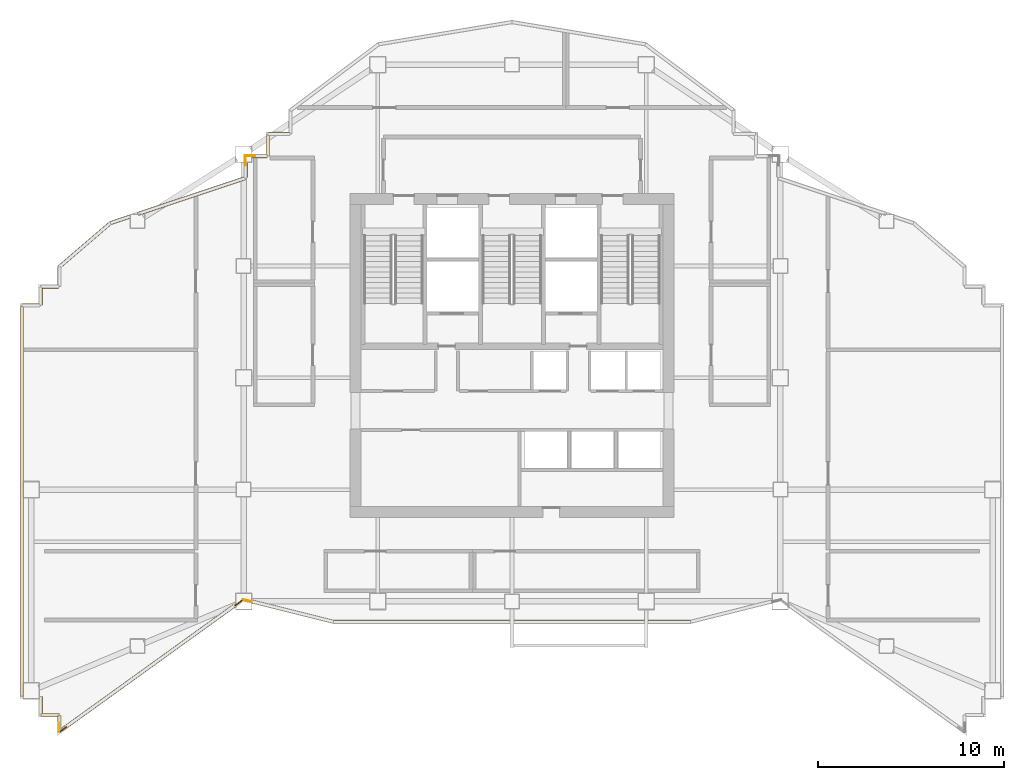
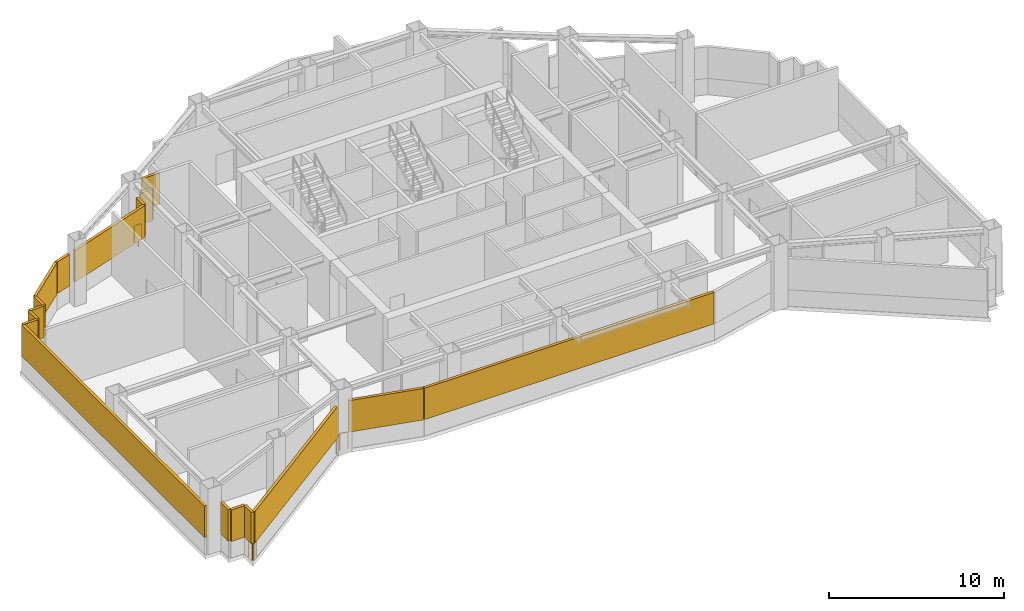
# One storey, part 6 of 9: 18 shading devices, 6 railings.
"""IFC4 building model written with IfcOpenShell, lengths in metres."""

from ifc_helpers import new_model, si_unit, direction, frame, origin, origin_2d, place, context, subcontext, project, spatial, rectangle, circle, extrude, material, type_object, element, save


model = new_model("IFC4")

# Units and contexts
model_context = context("Model", 3, precision=1e-05, world=origin(), true_north=direction((0.0, 1.0)))
body_context = subcontext(model_context, "Body", "Model", "MODEL_VIEW")
ifc_project = project(units=[si_unit("LENGTHUNIT", "METRE"), si_unit("AREAUNIT", "SQUARE_METRE"), si_unit("VOLUMEUNIT", "CUBIC_METRE"), si_unit("PLANEANGLEUNIT", "RADIAN"), si_unit("MASSUNIT", "GRAM", prefix="KILO")], contexts=[model_context])

# Site, building, storey
site_placement = place(None, origin())
site = spatial("IfcSite", under=ifc_project, at=site_placement, CompositionType="ELEMENT")
building_placement = place(site_placement, origin())
building = spatial("IfcBuilding", under=site, at=building_placement, Name="Haolan Belvedere Tower", CompositionType="ELEMENT")
storey_placement = place(building_placement, frame((0.0, 0.0, 207.0)))
storey = spatial("IfcBuildingStorey", under=building, at=storey_placement, Name="L52", CompositionType="ELEMENT", Elevation=207.0)

# Railings
ifc_material_1 = material(Name="Galvanised powder-coated steel guardrail", Category="steel")
railing_type = type_object("IfcRailingType", Name="RL-REF-GRD-1150", PredefinedType="GUARDRAIL", material=ifc_material_1)
railing_1_placement = place(storey_placement, frame((24.42578125, 21.586181640625, 0.0)))
element("IfcRailing", 1, at=railing_1_placement, inside=storey, type_object=railing_type, Name="L52 refuge corner safety guardrail 1A", PredefinedType="GUARDRAIL", context=body_context, shape_type="SweptSolid", body=[
    extrude(circle(Radius=0.02392578125, at=origin_2d()), frame((0.0, 0.0, 1.1259765625), z_axis=(-0.974532291101, 0.224247215372, 0.0), x_axis=(-0.224247215372, -0.974532291101, 0.0)), (0.0, 0.0, 1.0), 0.466064453125),
    extrude(circle(Radius=0.02099609375, at=origin_2d()), origin(), (0.0, 0.0, 1.0), 1.101806640625),
    extrude(circle(Radius=0.02099609375, at=origin_2d()), frame((-0.4541015625, 0.1044921875, 0.0)), (0.0, 0.0, 1.0), 1.101806640625),
])
railing_2_placement = place(storey_placement, frame((23.923095703125, 21.655517578125, 0.0)))
element("IfcRailing", 2, at=railing_2_placement, inside=storey, type_object=railing_type, Name="L52 refuge corner safety guardrail 1B", PredefinedType="GUARDRAIL", context=body_context, shape_type="SweptSolid", body=[
    extrude(circle(Radius=0.02392578125, at=origin_2d()), frame((0.0, 0.0, 1.1259765625), z_axis=(-0.811622975054, -0.584181603925, 0.0), x_axis=(0.584181603925, -0.811622975054, 0.0)), (0.0, 0.0, 1.0), 0.47021484375),
    extrude(circle(Radius=0.02099609375, at=origin_2d()), origin(), (0.0, 0.0, 1.0), 1.101806640625),
    extrude(circle(Radius=0.02099609375, at=origin_2d()), frame((-0.381591796875, -0.274658203125, 0.0)), (0.0, 0.0, 1.0), 1.101806640625),
])
railing_3_placement = place(storey_placement, frame((24.090087890625, 45.010009765625, 0.0)))
element("IfcRailing", 3, at=railing_3_placement, inside=storey, type_object=railing_type, Name="L52 refuge corner safety guardrail 5A", PredefinedType="GUARDRAIL", context=body_context, shape_type="SweptSolid", body=[
    extrude(circle(Radius=0.02392578125, at=origin_2d()), frame((0.0, 0.0, 1.1259765625), z_axis=(0.0, 1.0, 0.0), x_axis=(-1.0, 0.0, 0.0)), (0.0, 0.0, 1.0), 0.469970703125),
    extrude(circle(Radius=0.02099609375, at=origin_2d()), origin(), (0.0, 0.0, 1.0), 1.101806640625),
    extrude(circle(Radius=0.02099609375, at=origin_2d()), frame((0.0, 0.469970703125, 0.0)), (0.0, 0.0, 1.0), 1.101806640625),
])
railing_4_placement = place(storey_placement, frame((24.1201171875, 45.510009765625, 0.0)))
element("IfcRailing", 4, at=railing_4_placement, inside=storey, type_object=railing_type, Name="L52 refuge corner safety guardrail 5B", PredefinedType="GUARDRAIL", context=body_context, shape_type="SweptSolid", body=[
    extrude(circle(Radius=0.02392578125, at=origin_2d()), frame((0.0, 0.0, 1.1259765625), z_axis=(1.0, 0.0, 0.0), x_axis=(0.0, 1.0, 0.0)), (0.0, 0.0, 1.0), 0.469970703125),
    extrude(circle(Radius=0.02099609375, at=origin_2d()), origin(), (0.0, 0.0, 1.0), 1.101806640625),
    extrude(circle(Radius=0.02099609375, at=origin_2d()), frame((0.469970703125, 0.0, 0.0)), (0.0, 0.0, 1.0), 1.101806640625),
])
railing_5_placement = place(storey_placement, frame((14.495849609375, 14.867919921875, 0.0)))
element("IfcRailing", 5, at=railing_5_placement, inside=storey, type_object=railing_type, Name="L52 refuge corner safety guardrail 6A", PredefinedType="GUARDRAIL", context=body_context, shape_type="SweptSolid", body=[
    extrude(circle(Radius=0.02392578125, at=origin_2d()), frame((0.0, 0.0, 1.1259765625), z_axis=(-0.811622975054, -0.584181603925, 0.0), x_axis=(0.584181603925, -0.811622975054, 0.0)), (0.0, 0.0, 1.0), 0.47021484375),
    extrude(circle(Radius=0.02099609375, at=origin_2d()), origin(), (0.0, 0.0, 1.0), 1.101806640625),
    extrude(circle(Radius=0.02099609375, at=origin_2d()), frame((-0.381591796875, -0.274658203125, 0.0)), (0.0, 0.0, 1.0), 1.101806640625),
])
railing_6_placement = place(storey_placement, frame((14.090087890625, 14.605712890625, 0.0)))
element("IfcRailing", 6, at=railing_6_placement, inside=storey, type_object=railing_type, Name="L52 refuge corner safety guardrail 6B", PredefinedType="GUARDRAIL", context=body_context, shape_type="SweptSolid", body=[
    extrude(circle(Radius=0.02392578125, at=origin_2d()), frame((0.0, 0.0, 1.1259765625), z_axis=(0.0, 1.0, 0.0), x_axis=(-1.0, 0.0, 0.0)), (0.0, 0.0, 1.0), 0.469970703125),
    extrude(circle(Radius=0.02099609375, at=origin_2d()), origin(), (0.0, 0.0, 1.0), 1.101806640625),
    extrude(circle(Radius=0.02099609375, at=origin_2d()), frame((0.0, 0.469970703125, 0.0)), (0.0, 0.0, 1.0), 1.101806640625),
])

# Shading devices
ifc_material_2 = material(Name="Anodised champagne-silver aluminium 6063-T6", Category="aluminium")
shading_device_type = type_object("IfcShadingDeviceType", Name="SHD-LOUV-180", PredefinedType="JALOUSIE", material=ifc_material_2)
shading_device_1_placement = place(storey_placement, frame((38.39990234375, 20.510009765625, 1.14990234375), z_axis=(0.0, 0.0, 1.0), x_axis=(1.0, 0.0, 0.0)))
element("IfcShadingDevice", 7, at=shading_device_1_placement, inside=storey, type_object=shading_device_type, Name="L52 refuge storm-proof louvre bank 1.1", PredefinedType="JALOUSIE", context=body_context, shape_type="SweptSolid", body=[
    extrude(rectangle(XDim=19.133056640625, YDim=0.179931640625, at=origin_2d()), origin(), (0.0, 0.0, 1.0), 2.199951171875),
])
for number, where, z_axis, x_axis, name in (
    (8, (25.89501953125, 46.68994140625, 1.14990234375), (0.0, 0.0, 1.0), (-1.0, 0.0, 0.0), "L52 refuge storm-proof louvre bank 25.1"),
    (9, (25.31005859375, 46.074951171875, 1.14990234375), (0.0, 0.0, 1.0), (0.0, -1.0, 0.0), "L52 refuge storm-proof louvre bank 26.1"),
):
    element("IfcShadingDevice", number, at=place(storey_placement, frame(where, z_axis=z_axis, x_axis=x_axis)), inside=storey, type_object=shading_device_type, Name=name, PredefinedType="JALOUSIE", context=body_context, shape_type="SweptSolid", body=[
        extrude(rectangle(XDim=1.1298828125, YDim=0.179931640625, at=origin_2d()), origin(), (0.0, 0.0, 1.0), 2.199951171875),
    ])
shading_device_2_placement = place(storey_placement, frame((24.861083984375, 45.489990234375, 1.14990234375), z_axis=(0.0, 0.0, 1.0), x_axis=(-1.0, 0.0, 0.0)))
element("IfcShadingDevice", 10, at=shading_device_2_placement, inside=storey, type_object=shading_device_type, Name="L52 refuge storm-proof louvre bank 27.1", PredefinedType="JALOUSIE", context=body_context, shape_type="SweptSolid", body=[
    extrude(rectangle(XDim=0.798095703125, YDim=0.179931640625, at=origin_2d()), origin(), (0.0, 0.0, 1.0), 2.199951171875),
])
shading_device_3_placement = place(storey_placement, frame((24.110107421875, 44.739501953125, 1.14990234375), z_axis=(0.0, 0.0, 1.0), x_axis=(0.0, -1.0, 0.0)))
element("IfcShadingDevice", 11, at=shading_device_3_placement, inside=storey, type_object=shading_device_type, Name="L52 refuge storm-proof louvre bank 28.1", PredefinedType="JALOUSIE", context=body_context, shape_type="SweptSolid", body=[
    extrude(rectangle(XDim=0.79736328125, YDim=0.179931640625, at=origin_2d()), origin(), (0.0, 0.0, 1.0), 2.199951171875),
])
shading_device_4_placement = place(storey_placement, frame((21.20263671875, 43.3515625, 1.14990234375), z_axis=(0.0, 0.0, 1.0), x_axis=(-0.948688534679, -0.316212055698, 0.0)))
element("IfcShadingDevice", 12, at=shading_device_4_placement, inside=storey, type_object=shading_device_type, Name="L52 refuge storm-proof louvre bank 29.1", PredefinedType="JALOUSIE", context=body_context, shape_type="SweptSolid", body=[
    extrude(rectangle(XDim=6.029296875, YDim=0.179931640625, at=origin_2d()), origin(), (0.0, 0.0, 1.0), 2.199951171875),
])
shading_device_5_placement = place(storey_placement, frame((17.381591796875, 42.077880859375, 1.14990234375), z_axis=(0.0, 0.0, 1.0), x_axis=(-0.948694053476, -0.316195497912, 0.0)))
element("IfcShadingDevice", 13, at=shading_device_5_placement, inside=storey, type_object=shading_device_type, Name="L52 refuge storm-proof louvre bank 29.2", PredefinedType="JALOUSIE", context=body_context, shape_type="SweptSolid", body=[
    extrude(rectangle(XDim=1.069580078125, YDim=0.179931640625, at=origin_2d()), origin(), (0.0, 0.0, 1.0), 2.199951171875),
])
shading_device_6_placement = place(storey_placement, frame((15.482666015625, 40.725830078125, 1.14990234375), z_axis=(0.0, 0.0, 1.0), x_axis=(-0.759248590567, -0.650800720438, 0.0)))
element("IfcShadingDevice", 14, at=shading_device_6_placement, inside=storey, type_object=shading_device_type, Name="L52 refuge storm-proof louvre bank 30.1", PredefinedType="JALOUSIE", context=body_context, shape_type="SweptSolid", body=[
    extrude(rectangle(XDim=3.57568359375, YDim=0.179931640625, at=origin_2d()), origin(), (0.0, 0.0, 1.0), 2.199951171875),
])
shading_device_7_placement = place(storey_placement, frame((14.110107421875, 39.019775390625, 1.14990234375), z_axis=(0.0, 0.0, 1.0), x_axis=(0.0, -1.0, 0.0)))
element("IfcShadingDevice", 15, at=shading_device_7_placement, inside=storey, type_object=shading_device_type, Name="L52 refuge storm-proof louvre bank 31.1", PredefinedType="JALOUSIE", context=body_context, shape_type="SweptSolid", body=[
    extrude(rectangle(XDim=1.019287109375, YDim=0.179931640625, at=origin_2d()), origin(), (0.0, 0.0, 1.0), 2.199951171875),
])
for number, where, z_axis, x_axis, name in (
    (16, (13.594970703125, 38.489990234375, 1.14990234375), (0.0, 0.0, 1.0), (-1.0, 0.0, 0.0), "L52 refuge storm-proof louvre bank 32.1"),
    (17, (13.110107421875, 37.97509765625, 1.14990234375), (0.0, 0.0, 1.0), (0.0, -1.0, 0.0), "L52 refuge storm-proof louvre bank 33.1"),
    (18, (12.594970703125, 37.489990234375, 1.14990234375), (0.0, 0.0, 1.0), (-1.0, 0.0, 0.0), "L52 refuge storm-proof louvre bank 34.1"),
):
    element("IfcShadingDevice", number, at=place(storey_placement, frame(where, z_axis=z_axis, x_axis=x_axis)), inside=storey, type_object=shading_device_type, Name=name, PredefinedType="JALOUSIE", context=body_context, shape_type="SweptSolid", body=[
        extrude(rectangle(XDim=0.929931640625, YDim=0.179931640625, at=origin_2d()), origin(), (0.0, 0.0, 1.0), 2.199951171875),
    ])
shading_device_8_placement = place(storey_placement, frame((12.110107421875, 26.985107421875, 1.14990234375), z_axis=(0.0, 0.0, 1.0), x_axis=(0.0, -1.0, 0.0)))
element("IfcShadingDevice", 19, at=shading_device_8_placement, inside=storey, type_object=shading_device_type, Name="L52 refuge storm-proof louvre bank 35.1", PredefinedType="JALOUSIE", context=body_context, shape_type="SweptSolid", body=[
    extrude(rectangle(XDim=20.909912109375, YDim=0.179931640625, at=origin_2d()), origin(), (0.0, 0.0, 1.0), 2.199951171875),
])
shading_device_9_placement = place(storey_placement, frame((13.110107421875, 16.010009765625, 1.14990234375), z_axis=(0.0, 0.0, 1.0), x_axis=(0.0, -1.0, 0.0)))
element("IfcShadingDevice", 20, at=shading_device_9_placement, inside=storey, type_object=shading_device_type, Name="L52 refuge storm-proof louvre bank 37.1", PredefinedType="JALOUSIE", context=body_context, shape_type="SweptSolid", body=[
    extrude(rectangle(XDim=0.9599609375, YDim=0.179931640625, at=origin_2d()), origin(), (0.0, 0.0, 1.0), 2.199951171875),
])
shading_device_10_placement = place(storey_placement, frame((13.625, 15.510009765625, 1.14990234375), z_axis=(0.0, 0.0, 1.0), x_axis=(1.0, 0.0, 0.0)))
element("IfcShadingDevice", 21, at=shading_device_10_placement, inside=storey, type_object=shading_device_type, Name="L52 refuge storm-proof louvre bank 38.1", PredefinedType="JALOUSIE", context=body_context, shape_type="SweptSolid", body=[
    extrude(rectangle(XDim=0.929931640625, YDim=0.179931640625, at=origin_2d()), origin(), (0.0, 0.0, 1.0), 2.199951171875),
])
shading_device_11_placement = place(storey_placement, frame((14.110107421875, 15.04736328125, 1.14990234375), z_axis=(0.0, 0.0, 1.0), x_axis=(0.0, -1.0, 0.0)))
element("IfcShadingDevice", 22, at=shading_device_11_placement, inside=storey, type_object=shading_device_type, Name="L52 refuge storm-proof louvre bank 39.1", PredefinedType="JALOUSIE", context=body_context, shape_type="SweptSolid", body=[
    extrude(rectangle(XDim=0.8251953125, YDim=0.179931640625, at=origin_2d()), origin(), (0.0, 0.0, 1.0), 2.199951171875),
])
shading_device_12_placement = place(storey_placement, frame((18.87060546875, 18.042236328125, 1.14990234375), z_axis=(0.0, 0.0, 1.0), x_axis=(0.811533191666, 0.584306322766, 0.0)))
element("IfcShadingDevice", 23, at=shading_device_12_placement, inside=storey, type_object=shading_device_type, Name="L52 refuge storm-proof louvre bank 40.1", PredefinedType="JALOUSIE", context=body_context, shape_type="SweptSolid", body=[
    extrude(rectangle(XDim=11.51220703125, YDim=0.179931640625, at=origin_2d()), origin(), (0.0, 0.0, 1.0), 2.199951171875),
])
shading_device_13_placement = place(storey_placement, frame((26.627685546875, 21.056396484375, 1.14990234375), z_axis=(0.0, 0.0, 1.0), x_axis=(0.970139297626, -0.242548434753, 0.0)))
element("IfcShadingDevice", 24, at=shading_device_13_placement, inside=storey, type_object=shading_device_type, Name="L52 refuge storm-proof louvre bank 41.1", PredefinedType="JALOUSIE", context=body_context, shape_type="SweptSolid", body=[
    extrude(rectangle(XDim=4.466064453125, YDim=0.179931640625, at=origin_2d()), origin(), (0.0, 0.0, 1.0), 2.199951171875),
])

save(model, "model.ifc")
